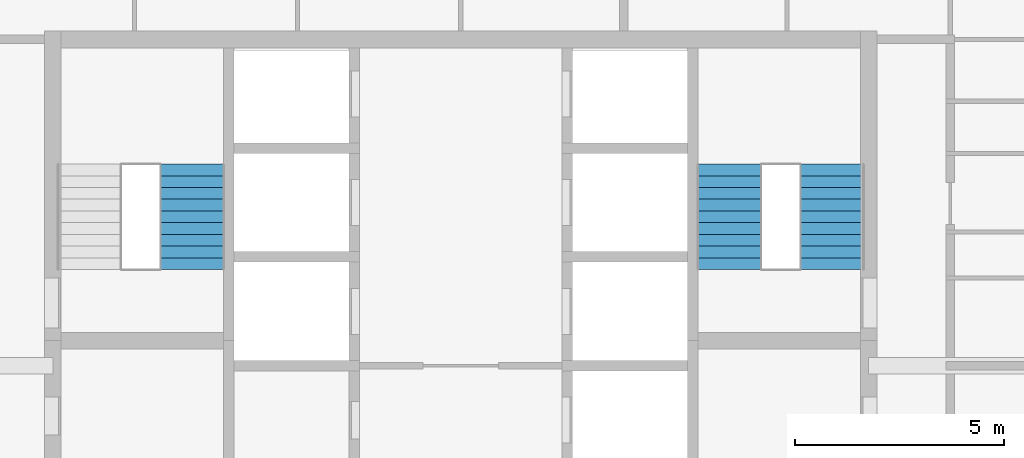
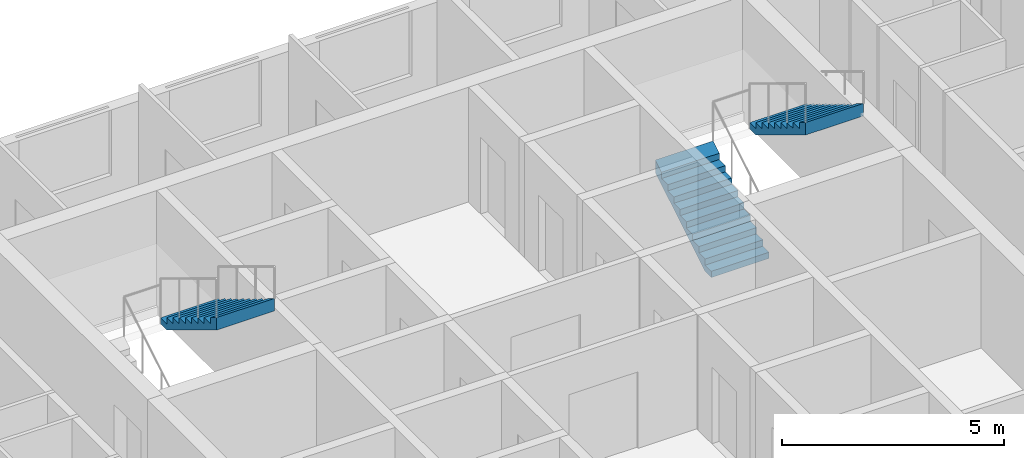
# One storey, part 14 of 17: 3 stair flights, 2 elements without a shape of their own.
"""IFC4 building model written with IfcOpenShell, lengths in metres."""

from ifc_helpers import new_model, si_unit, direction, frame, origin, place, context, subcontext, project, spatial, triangles, material, type_object, element, aggregate, save


model = new_model("IFC4")

# Units and contexts
model_context = context("Model", 3, precision=1e-05, world=origin(), true_north=direction((0.0, 1.0)))
body_context = subcontext(model_context, "Body", "Model", "MODEL_VIEW")
ifc_project = project(units=[si_unit("LENGTHUNIT", "METRE"), si_unit("AREAUNIT", "SQUARE_METRE"), si_unit("VOLUMEUNIT", "CUBIC_METRE"), si_unit("PLANEANGLEUNIT", "RADIAN"), si_unit("MASSUNIT", "GRAM", prefix="KILO")], contexts=[model_context])

# Site, building, storey
site_placement = place(None, origin())
site = spatial("IfcSite", under=ifc_project, at=site_placement, CompositionType="ELEMENT")
building_placement = place(site_placement, origin())
building = spatial("IfcBuilding", under=site, at=building_placement, Name="Ludao Terraces", CompositionType="ELEMENT")
storey_placement = place(building_placement, frame((0.0, 0.0, 221.10009765625)))
storey = spatial("IfcBuildingStorey", under=building, at=storey_placement, Name="L60", CompositionType="ELEMENT", Elevation=221.10009765625)

# Stair, stair flight
ifc_material = material(Name="Concrete C40", Category="concrete")
stair_type = type_object("IfcStairType", Name="INT Stair", PredefinedType="HALF_TURN_STAIR", material=ifc_material)
stair_1_placement = place(storey_placement, origin())
stair_1 = element("IfcStair", 1, at=stair_1_placement, inside=storey, type_object=stair_type, Name="EXIT STAIR 1", PredefinedType="HALF_TURN_STAIR")
stair_flight_type = type_object("IfcStairFlightType", Name="INT Stair flight", PredefinedType="STRAIGHT", material=ifc_material)
stair_flight_1_placement = place(storey_placement, frame((78.574951171875, 81.52001953125, 1.699951171875), z_axis=(0.0, 0.0, 1.0), x_axis=(0.0, -1.0, 0.0)))
stair_flight_1 = element("IfcStairFlight", 2, at=stair_flight_1_placement, type_object=stair_flight_type, Name="ST1 flight 2", NumberOfRisers=10, NumberOfTreads=9, PredefinedType="STRAIGHT", RiserHeight=0.17, TreadLength=0.28, context=body_context, shape_type="Tessellation", body=[
    triangles([(0.0, -0.75, 0.0), (0.0, -0.5, 0.0), (0.0, -0.25, 0.0), (0.0, 0.0, 0.0), (0.0, 0.25, 0.0), (0.0, 0.5, 0.0), (0.0, 0.75, 0.0), (0.0, -0.75, 0.169921875), (0.0, -0.5, 0.169921875), (0.0, -0.25, 0.169921875), (0.0, 0.0, 0.169921875), (0.0, 0.25, 0.169921875), (0.0, 0.5, 0.169921875), (0.0, 0.75, 0.169921875), (0.280029296875, -0.75, 0.169921875), (0.280029296875, -0.5, 0.169921875), (0.280029296875, -0.25, 0.169921875), (0.280029296875, 0.0, 0.169921875), (0.280029296875, 0.25, 0.169921875), (0.280029296875, 0.5, 0.169921875), (0.280029296875, 0.75, 0.169921875), (0.280029296875, -0.75, 0.340087890625), (0.280029296875, -0.5, 0.340087890625), (0.280029296875, -0.25, 0.340087890625), (0.280029296875, 0.0, 0.340087890625), (0.280029296875, 0.25, 0.340087890625), (0.280029296875, 0.5, 0.340087890625), (0.280029296875, 0.75, 0.340087890625), (0.56005859375, -0.75, 0.340087890625), (0.56005859375, -0.5, 0.340087890625), (0.56005859375, -0.25, 0.340087890625), (0.56005859375, 0.0, 0.340087890625), (0.56005859375, 0.25, 0.340087890625), (0.56005859375, 0.5, 0.340087890625), (0.56005859375, 0.75, 0.340087890625), (0.56005859375, -0.75, 0.510009765625), (0.56005859375, -0.5, 0.510009765625), (0.56005859375, -0.25, 0.510009765625), (0.56005859375, 0.0, 0.510009765625), (0.56005859375, 0.25, 0.510009765625), (0.56005859375, 0.5, 0.510009765625), (0.56005859375, 0.75, 0.510009765625), (0.840087890625, -0.75, 0.510009765625), (0.840087890625, -0.5, 0.510009765625), (0.840087890625, -0.25, 0.510009765625), (0.840087890625, 0.0, 0.510009765625), (0.840087890625, 0.25, 0.510009765625), (0.840087890625, 0.5, 0.510009765625), (0.840087890625, 0.75, 0.510009765625), (0.840087890625, -0.75, 0.679931640625), (0.840087890625, -0.5, 0.679931640625), (0.840087890625, -0.25, 0.679931640625), (0.840087890625, 0.0, 0.679931640625), (0.840087890625, 0.25, 0.679931640625), (0.840087890625, 0.5, 0.679931640625), (0.840087890625, 0.75, 0.679931640625), (1.1201171875, -0.75, 0.679931640625), (1.1201171875, -0.5, 0.679931640625), (1.1201171875, -0.25, 0.679931640625), (1.1201171875, 0.0, 0.679931640625), (1.1201171875, 0.25, 0.679931640625), (1.1201171875, 0.5, 0.679931640625), (1.1201171875, 0.75, 0.679931640625), (1.1201171875, -0.75, 0.85009765625), (1.1201171875, -0.5, 0.85009765625), (1.1201171875, -0.25, 0.85009765625), (1.1201171875, 0.0, 0.85009765625), (1.1201171875, 0.25, 0.85009765625), (1.1201171875, 0.5, 0.85009765625), (1.1201171875, 0.75, 0.85009765625), (1.39990234375, -0.75, 0.85009765625), (1.39990234375, -0.5, 0.85009765625), (1.39990234375, -0.25, 0.85009765625), (1.39990234375, 0.0, 0.85009765625), (1.39990234375, 0.25, 0.85009765625), (1.39990234375, 0.5, 0.85009765625), (1.39990234375, 0.75, 0.85009765625), (1.39990234375, -0.75, 1.02001953125), (1.39990234375, -0.5, 1.02001953125), (1.39990234375, -0.25, 1.02001953125), (1.39990234375, 0.0, 1.02001953125), (1.39990234375, 0.25, 1.02001953125), (1.39990234375, 0.5, 1.02001953125), (1.39990234375, 0.75, 1.02001953125), (1.679931640625, -0.75, 1.02001953125), (1.679931640625, -0.5, 1.02001953125), (1.679931640625, -0.25, 1.02001953125), (1.679931640625, 0.0, 1.02001953125), (1.679931640625, 0.25, 1.02001953125), (1.679931640625, 0.5, 1.02001953125), (1.679931640625, 0.75, 1.02001953125), (1.679931640625, -0.75, 1.18994140625), (1.679931640625, -0.5, 1.18994140625), (1.679931640625, -0.25, 1.18994140625), (1.679931640625, 0.0, 1.18994140625), (1.679931640625, 0.25, 1.18994140625), (1.679931640625, 0.5, 1.18994140625), (1.679931640625, 0.75, 1.18994140625), (1.9599609375, -0.75, 1.18994140625), (1.9599609375, -0.5, 1.18994140625), (1.9599609375, -0.25, 1.18994140625), (1.9599609375, 0.0, 1.18994140625), (1.9599609375, 0.25, 1.18994140625), (1.9599609375, 0.5, 1.18994140625), (1.9599609375, 0.75, 1.18994140625), (1.9599609375, -0.75, 1.360107421875), (1.9599609375, -0.5, 1.360107421875), (1.9599609375, -0.25, 1.360107421875), (1.9599609375, 0.0, 1.360107421875), (1.9599609375, 0.25, 1.360107421875), (1.9599609375, 0.5, 1.360107421875), (1.9599609375, 0.75, 1.360107421875), (2.239990234375, -0.75, 1.360107421875), (2.239990234375, -0.5, 1.360107421875), (2.239990234375, -0.25, 1.360107421875), (2.239990234375, 0.0, 1.360107421875), (2.239990234375, 0.25, 1.360107421875), (2.239990234375, 0.5, 1.360107421875), (2.239990234375, 0.75, 1.360107421875), (2.239990234375, -0.75, 1.530029296875), (2.239990234375, -0.5, 1.530029296875), (2.239990234375, -0.25, 1.530029296875), (2.239990234375, 0.0, 1.530029296875), (2.239990234375, 0.25, 1.530029296875), (2.239990234375, 0.5, 1.530029296875), (2.239990234375, 0.75, 1.530029296875), (2.52001953125, -0.75, 1.699951171875), (2.52001953125, -0.5, 1.699951171875), (2.52001953125, -0.25, 1.699951171875), (2.52001953125, 0.0, 1.699951171875), (2.52001953125, 0.25, 1.699951171875), (2.52001953125, 0.5, 1.699951171875), (2.52001953125, 0.75, 1.699951171875), (2.52001953125, -0.75, 1.354736328125), (2.52001953125, -0.5, 1.354736328125), (2.52001953125, -0.25, 1.354736328125), (2.52001953125, 0.0, 1.354736328125), (2.52001953125, 0.25, 1.354736328125), (2.52001953125, 0.5, 1.354736328125), (2.52001953125, 0.75, 1.354736328125), (0.288818359375, -0.75, 0.0), (0.288818359375, -0.5, 0.0), (0.288818359375, -0.25, 0.0), (0.288818359375, 0.0, 0.0), (0.288818359375, 0.25, 0.0), (0.288818359375, 0.5, 0.0), (0.288818359375, 0.75, 0.0)], [[1, 141, 134], [7, 140, 147], [134, 127, 120], [140, 126, 133], [134, 120, 113], [140, 119, 126], [134, 113, 106], [140, 112, 119], [134, 106, 99], [140, 105, 112], [99, 92, 85], [105, 91, 98], [134, 99, 85], [140, 91, 105], [85, 78, 71], [91, 77, 84], [134, 85, 71], [140, 77, 91], [71, 64, 57], [77, 63, 70], [134, 71, 57], [140, 63, 77], [57, 50, 43], [63, 49, 56], [134, 57, 43], [140, 49, 63], [43, 36, 29], [49, 35, 42], [134, 43, 29], [140, 35, 49], [29, 22, 15], [35, 21, 28], [134, 29, 15], [140, 21, 35], [1, 134, 15], [7, 21, 140], [15, 8, 1], [21, 7, 14], [1, 9, 2], [1, 8, 9], [2, 10, 3], [2, 9, 10], [3, 11, 4], [3, 10, 11], [4, 12, 5], [4, 11, 12], [5, 13, 6], [5, 12, 13], [6, 14, 7], [6, 13, 14], [8, 16, 9], [8, 15, 16], [9, 17, 10], [9, 16, 17], [10, 18, 11], [10, 17, 18], [11, 19, 12], [11, 18, 19], [12, 20, 13], [12, 19, 20], [13, 21, 14], [13, 20, 21], [15, 23, 16], [15, 22, 23], [16, 24, 17], [16, 23, 24], [17, 25, 18], [17, 24, 25], [18, 26, 19], [18, 25, 26], [19, 27, 20], [19, 26, 27], [20, 28, 21], [20, 27, 28], [22, 30, 23], [22, 29, 30], [23, 31, 24], [23, 30, 31], [24, 32, 25], [24, 31, 32], [25, 33, 26], [25, 32, 33], [26, 34, 27], [26, 33, 34], [27, 35, 28], [27, 34, 35], [29, 37, 30], [29, 36, 37], [30, 38, 31], [30, 37, 38], [31, 39, 32], [31, 38, 39], [32, 40, 33], [32, 39, 40], [33, 41, 34], [33, 40, 41], [34, 42, 35], [34, 41, 42], [36, 44, 37], [36, 43, 44], [37, 45, 38], [37, 44, 45], [38, 46, 39], [38, 45, 46], [39, 47, 40], [39, 46, 47], [40, 48, 41], [40, 47, 48], [41, 49, 42], [41, 48, 49], [43, 51, 44], [43, 50, 51], [44, 52, 45], [44, 51, 52], [45, 53, 46], [45, 52, 53], [46, 54, 47], [46, 53, 54], [47, 55, 48], [47, 54, 55], [48, 56, 49], [48, 55, 56], [50, 58, 51], [50, 57, 58], [51, 59, 52], [51, 58, 59], [52, 60, 53], [52, 59, 60], [53, 61, 54], [53, 60, 61], [54, 62, 55], [54, 61, 62], [55, 63, 56], [55, 62, 63], [57, 65, 58], [57, 64, 65], [58, 66, 59], [58, 65, 66], [59, 67, 60], [59, 66, 67], [60, 68, 61], [60, 67, 68], [61, 69, 62], [61, 68, 69], [62, 70, 63], [62, 69, 70], [64, 72, 65], [64, 71, 72], [65, 73, 66], [65, 72, 73], [66, 74, 67], [66, 73, 74], [67, 75, 68], [67, 74, 75], [68, 76, 69], [68, 75, 76], [69, 77, 70], [69, 76, 77], [71, 79, 72], [71, 78, 79], [72, 80, 73], [72, 79, 80], [73, 81, 74], [73, 80, 81], [74, 82, 75], [74, 81, 82], [75, 83, 76], [75, 82, 83], [76, 84, 77], [76, 83, 84], [78, 86, 79], [78, 85, 86], [79, 87, 80], [79, 86, 87], [80, 88, 81], [80, 87, 88], [81, 89, 82], [81, 88, 89], [82, 90, 83], [82, 89, 90], [83, 91, 84], [83, 90, 91], [85, 93, 86], [85, 92, 93], [86, 94, 87], [86, 93, 94], [87, 95, 88], [87, 94, 95], [88, 96, 89], [88, 95, 96], [89, 97, 90], [89, 96, 97], [90, 98, 91], [90, 97, 98], [92, 100, 93], [92, 99, 100], [93, 101, 94], [93, 100, 101], [94, 102, 95], [94, 101, 102], [95, 103, 96], [95, 102, 103], [96, 104, 97], [96, 103, 104], [97, 105, 98], [97, 104, 105], [99, 107, 100], [99, 106, 107], [100, 108, 101], [100, 107, 108], [101, 109, 102], [101, 108, 109], [102, 110, 103], [102, 109, 110], [103, 111, 104], [103, 110, 111], [104, 112, 105], [104, 111, 112], [106, 114, 107], [106, 113, 114], [107, 115, 108], [107, 114, 115], [108, 116, 109], [108, 115, 116], [109, 117, 110], [109, 116, 117], [110, 118, 111], [110, 117, 118], [111, 119, 112], [111, 118, 119], [113, 121, 114], [113, 120, 121], [114, 122, 115], [114, 121, 122], [115, 123, 116], [115, 122, 123], [116, 124, 117], [116, 123, 124], [117, 125, 118], [117, 124, 125], [118, 126, 119], [118, 125, 126], [120, 128, 121], [120, 127, 128], [121, 129, 122], [121, 128, 129], [122, 130, 123], [122, 129, 130], [123, 131, 124], [123, 130, 131], [124, 132, 125], [124, 131, 132], [125, 133, 126], [125, 132, 133], [127, 135, 128], [127, 134, 135], [128, 136, 129], [128, 135, 136], [129, 137, 130], [129, 136, 137], [130, 138, 131], [130, 137, 138], [131, 139, 132], [131, 138, 139], [132, 140, 133], [132, 139, 140], [134, 142, 135], [134, 141, 142], [135, 143, 136], [135, 142, 143], [136, 144, 137], [136, 143, 144], [137, 145, 138], [137, 144, 145], [138, 146, 139], [138, 145, 146], [139, 147, 140], [139, 146, 147], [141, 2, 142], [141, 1, 2], [142, 3, 143], [142, 2, 3], [143, 4, 144], [143, 3, 4], [144, 5, 145], [144, 4, 5], [145, 6, 146], [145, 5, 6], [146, 7, 147], [146, 6, 7]], closed=True),
])
aggregate(stair_1, [stair_flight_1])

# Stair, stair flights
stair_2_placement = place(storey_placement, origin())
stair_2 = element("IfcStair", 3, at=stair_2_placement, inside=storey, type_object=stair_type, Name="EXIT STAIR 2", PredefinedType="HALF_TURN_STAIR")
stair_flight_2_placement = place(storey_placement, frame((91.425048828125, 79.0, 0.0), z_axis=(0.0, 0.0, 1.0), x_axis=(0.0, 1.0, 0.0)))
stair_flight_2 = element("IfcStairFlight", 4, at=stair_flight_2_placement, type_object=stair_flight_type, Name="ST2 flight 1", NumberOfRisers=10, NumberOfTreads=9, PredefinedType="STRAIGHT", RiserHeight=0.17, TreadLength=0.28, context=body_context, shape_type="Tessellation", body=[
    triangles([(0.0, -0.75, 0.0), (0.0, -0.5, 0.0), (0.0, -0.25, 0.0), (0.0, 0.0, 0.0), (0.0, 0.25, 0.0), (0.0, 0.5, 0.0), (0.0, 0.75, 0.0), (0.0, -0.75, 0.169921875), (0.0, -0.5, 0.169921875), (0.0, -0.25, 0.169921875), (0.0, 0.0, 0.169921875), (0.0, 0.25, 0.169921875), (0.0, 0.5, 0.169921875), (0.0, 0.75, 0.169921875), (0.280029296875, -0.75, 0.169921875), (0.280029296875, -0.5, 0.169921875), (0.280029296875, -0.25, 0.169921875), (0.280029296875, 0.0, 0.169921875), (0.280029296875, 0.25, 0.169921875), (0.280029296875, 0.5, 0.169921875), (0.280029296875, 0.75, 0.169921875), (0.280029296875, -0.75, 0.340087890625), (0.280029296875, -0.5, 0.340087890625), (0.280029296875, -0.25, 0.340087890625), (0.280029296875, 0.0, 0.340087890625), (0.280029296875, 0.25, 0.340087890625), (0.280029296875, 0.5, 0.340087890625), (0.280029296875, 0.75, 0.340087890625), (0.56005859375, -0.75, 0.340087890625), (0.56005859375, -0.5, 0.340087890625), (0.56005859375, -0.25, 0.340087890625), (0.56005859375, 0.0, 0.340087890625), (0.56005859375, 0.25, 0.340087890625), (0.56005859375, 0.5, 0.340087890625), (0.56005859375, 0.75, 0.340087890625), (0.56005859375, -0.75, 0.510009765625), (0.56005859375, -0.5, 0.510009765625), (0.56005859375, -0.25, 0.510009765625), (0.56005859375, 0.0, 0.510009765625), (0.56005859375, 0.25, 0.510009765625), (0.56005859375, 0.5, 0.510009765625), (0.56005859375, 0.75, 0.510009765625), (0.840087890625, -0.75, 0.510009765625), (0.840087890625, -0.5, 0.510009765625), (0.840087890625, -0.25, 0.510009765625), (0.840087890625, 0.0, 0.510009765625), (0.840087890625, 0.25, 0.510009765625), (0.840087890625, 0.5, 0.510009765625), (0.840087890625, 0.75, 0.510009765625), (0.840087890625, -0.75, 0.679931640625), (0.840087890625, -0.5, 0.679931640625), (0.840087890625, -0.25, 0.679931640625), (0.840087890625, 0.0, 0.679931640625), (0.840087890625, 0.25, 0.679931640625), (0.840087890625, 0.5, 0.679931640625), (0.840087890625, 0.75, 0.679931640625), (1.1201171875, -0.75, 0.679931640625), (1.1201171875, -0.5, 0.679931640625), (1.1201171875, -0.25, 0.679931640625), (1.1201171875, 0.0, 0.679931640625), (1.1201171875, 0.25, 0.679931640625), (1.1201171875, 0.5, 0.679931640625), (1.1201171875, 0.75, 0.679931640625), (1.1201171875, -0.75, 0.85009765625), (1.1201171875, -0.5, 0.85009765625), (1.1201171875, -0.25, 0.85009765625), (1.1201171875, 0.0, 0.85009765625), (1.1201171875, 0.25, 0.85009765625), (1.1201171875, 0.5, 0.85009765625), (1.1201171875, 0.75, 0.85009765625), (1.39990234375, -0.75, 0.85009765625), (1.39990234375, -0.5, 0.85009765625), (1.39990234375, -0.25, 0.85009765625), (1.39990234375, 0.0, 0.85009765625), (1.39990234375, 0.25, 0.85009765625), (1.39990234375, 0.5, 0.85009765625), (1.39990234375, 0.75, 0.85009765625), (1.39990234375, -0.75, 1.02001953125), (1.39990234375, -0.5, 1.02001953125), (1.39990234375, -0.25, 1.02001953125), (1.39990234375, 0.0, 1.02001953125), (1.39990234375, 0.25, 1.02001953125), (1.39990234375, 0.5, 1.02001953125), (1.39990234375, 0.75, 1.02001953125), (1.679931640625, -0.75, 1.02001953125), (1.679931640625, -0.5, 1.02001953125), (1.679931640625, -0.25, 1.02001953125), (1.679931640625, 0.0, 1.02001953125), (1.679931640625, 0.25, 1.02001953125), (1.679931640625, 0.5, 1.02001953125), (1.679931640625, 0.75, 1.02001953125), (1.679931640625, -0.75, 1.18994140625), (1.679931640625, -0.5, 1.18994140625), (1.679931640625, -0.25, 1.18994140625), (1.679931640625, 0.0, 1.18994140625), (1.679931640625, 0.25, 1.18994140625), (1.679931640625, 0.5, 1.18994140625), (1.679931640625, 0.75, 1.18994140625), (1.9599609375, -0.75, 1.18994140625), (1.9599609375, -0.5, 1.18994140625), (1.9599609375, -0.25, 1.18994140625), (1.9599609375, 0.0, 1.18994140625), (1.9599609375, 0.25, 1.18994140625), (1.9599609375, 0.5, 1.18994140625), (1.9599609375, 0.75, 1.18994140625), (1.9599609375, -0.75, 1.360107421875), (1.9599609375, -0.5, 1.360107421875), (1.9599609375, -0.25, 1.360107421875), (1.9599609375, 0.0, 1.360107421875), (1.9599609375, 0.25, 1.360107421875), (1.9599609375, 0.5, 1.360107421875), (1.9599609375, 0.75, 1.360107421875), (2.239990234375, -0.75, 1.360107421875), (2.239990234375, -0.5, 1.360107421875), (2.239990234375, -0.25, 1.360107421875), (2.239990234375, 0.0, 1.360107421875), (2.239990234375, 0.25, 1.360107421875), (2.239990234375, 0.5, 1.360107421875), (2.239990234375, 0.75, 1.360107421875), (2.239990234375, -0.75, 1.530029296875), (2.239990234375, -0.5, 1.530029296875), (2.239990234375, -0.25, 1.530029296875), (2.239990234375, 0.0, 1.530029296875), (2.239990234375, 0.25, 1.530029296875), (2.239990234375, 0.5, 1.530029296875), (2.239990234375, 0.75, 1.530029296875), (2.52001953125, -0.75, 1.699951171875), (2.52001953125, -0.5, 1.699951171875), (2.52001953125, -0.25, 1.699951171875), (2.52001953125, 0.0, 1.699951171875), (2.52001953125, 0.25, 1.699951171875), (2.52001953125, 0.5, 1.699951171875), (2.52001953125, 0.75, 1.699951171875), (2.52001953125, -0.75, 1.354736328125), (2.52001953125, -0.5, 1.354736328125), (2.52001953125, -0.25, 1.354736328125), (2.52001953125, 0.0, 1.354736328125), (2.52001953125, 0.25, 1.354736328125), (2.52001953125, 0.5, 1.354736328125), (2.52001953125, 0.75, 1.354736328125), (0.288818359375, -0.75, 0.0), (0.288818359375, -0.5, 0.0), (0.288818359375, -0.25, 0.0), (0.288818359375, 0.0, 0.0), (0.288818359375, 0.25, 0.0), (0.288818359375, 0.5, 0.0), (0.288818359375, 0.75, 0.0)], [[1, 141, 134], [7, 140, 147], [134, 127, 120], [140, 126, 133], [134, 120, 113], [140, 119, 126], [134, 113, 106], [140, 112, 119], [134, 106, 99], [140, 105, 112], [99, 92, 85], [105, 91, 98], [134, 99, 85], [140, 91, 105], [85, 78, 71], [91, 77, 84], [134, 85, 71], [140, 77, 91], [71, 64, 57], [77, 63, 70], [134, 71, 57], [140, 63, 77], [57, 50, 43], [63, 49, 56], [134, 57, 43], [140, 49, 63], [43, 36, 29], [49, 35, 42], [134, 43, 29], [140, 35, 49], [29, 22, 15], [35, 21, 28], [134, 29, 15], [140, 21, 35], [1, 134, 15], [7, 21, 140], [15, 8, 1], [21, 7, 14], [1, 9, 2], [1, 8, 9], [2, 10, 3], [2, 9, 10], [3, 11, 4], [3, 10, 11], [4, 12, 5], [4, 11, 12], [5, 13, 6], [5, 12, 13], [6, 14, 7], [6, 13, 14], [8, 16, 9], [8, 15, 16], [9, 17, 10], [9, 16, 17], [10, 18, 11], [10, 17, 18], [11, 19, 12], [11, 18, 19], [12, 20, 13], [12, 19, 20], [13, 21, 14], [13, 20, 21], [15, 23, 16], [15, 22, 23], [16, 24, 17], [16, 23, 24], [17, 25, 18], [17, 24, 25], [18, 26, 19], [18, 25, 26], [19, 27, 20], [19, 26, 27], [20, 28, 21], [20, 27, 28], [22, 30, 23], [22, 29, 30], [23, 31, 24], [23, 30, 31], [24, 32, 25], [24, 31, 32], [25, 33, 26], [25, 32, 33], [26, 34, 27], [26, 33, 34], [27, 35, 28], [27, 34, 35], [29, 37, 30], [29, 36, 37], [30, 38, 31], [30, 37, 38], [31, 39, 32], [31, 38, 39], [32, 40, 33], [32, 39, 40], [33, 41, 34], [33, 40, 41], [34, 42, 35], [34, 41, 42], [36, 44, 37], [36, 43, 44], [37, 45, 38], [37, 44, 45], [38, 46, 39], [38, 45, 46], [39, 47, 40], [39, 46, 47], [40, 48, 41], [40, 47, 48], [41, 49, 42], [41, 48, 49], [43, 51, 44], [43, 50, 51], [44, 52, 45], [44, 51, 52], [45, 53, 46], [45, 52, 53], [46, 54, 47], [46, 53, 54], [47, 55, 48], [47, 54, 55], [48, 56, 49], [48, 55, 56], [50, 58, 51], [50, 57, 58], [51, 59, 52], [51, 58, 59], [52, 60, 53], [52, 59, 60], [53, 61, 54], [53, 60, 61], [54, 62, 55], [54, 61, 62], [55, 63, 56], [55, 62, 63], [57, 65, 58], [57, 64, 65], [58, 66, 59], [58, 65, 66], [59, 67, 60], [59, 66, 67], [60, 68, 61], [60, 67, 68], [61, 69, 62], [61, 68, 69], [62, 70, 63], [62, 69, 70], [64, 72, 65], [64, 71, 72], [65, 73, 66], [65, 72, 73], [66, 74, 67], [66, 73, 74], [67, 75, 68], [67, 74, 75], [68, 76, 69], [68, 75, 76], [69, 77, 70], [69, 76, 77], [71, 79, 72], [71, 78, 79], [72, 80, 73], [72, 79, 80], [73, 81, 74], [73, 80, 81], [74, 82, 75], [74, 81, 82], [75, 83, 76], [75, 82, 83], [76, 84, 77], [76, 83, 84], [78, 86, 79], [78, 85, 86], [79, 87, 80], [79, 86, 87], [80, 88, 81], [80, 87, 88], [81, 89, 82], [81, 88, 89], [82, 90, 83], [82, 89, 90], [83, 91, 84], [83, 90, 91], [85, 93, 86], [85, 92, 93], [86, 94, 87], [86, 93, 94], [87, 95, 88], [87, 94, 95], [88, 96, 89], [88, 95, 96], [89, 97, 90], [89, 96, 97], [90, 98, 91], [90, 97, 98], [92, 100, 93], [92, 99, 100], [93, 101, 94], [93, 100, 101], [94, 102, 95], [94, 101, 102], [95, 103, 96], [95, 102, 103], [96, 104, 97], [96, 103, 104], [97, 105, 98], [97, 104, 105], [99, 107, 100], [99, 106, 107], [100, 108, 101], [100, 107, 108], [101, 109, 102], [101, 108, 109], [102, 110, 103], [102, 109, 110], [103, 111, 104], [103, 110, 111], [104, 112, 105], [104, 111, 112], [106, 114, 107], [106, 113, 114], [107, 115, 108], [107, 114, 115], [108, 116, 109], [108, 115, 116], [109, 117, 110], [109, 116, 117], [110, 118, 111], [110, 117, 118], [111, 119, 112], [111, 118, 119], [113, 121, 114], [113, 120, 121], [114, 122, 115], [114, 121, 122], [115, 123, 116], [115, 122, 123], [116, 124, 117], [116, 123, 124], [117, 125, 118], [117, 124, 125], [118, 126, 119], [118, 125, 126], [120, 128, 121], [120, 127, 128], [121, 129, 122], [121, 128, 129], [122, 130, 123], [122, 129, 130], [123, 131, 124], [123, 130, 131], [124, 132, 125], [124, 131, 132], [125, 133, 126], [125, 132, 133], [127, 135, 128], [127, 134, 135], [128, 136, 129], [128, 135, 136], [129, 137, 130], [129, 136, 137], [130, 138, 131], [130, 137, 138], [131, 139, 132], [131, 138, 139], [132, 140, 133], [132, 139, 140], [134, 142, 135], [134, 141, 142], [135, 143, 136], [135, 142, 143], [136, 144, 137], [136, 143, 144], [137, 145, 138], [137, 144, 145], [138, 146, 139], [138, 145, 146], [139, 147, 140], [139, 146, 147], [141, 2, 142], [141, 1, 2], [142, 3, 143], [142, 2, 3], [143, 4, 144], [143, 3, 4], [144, 5, 145], [144, 4, 5], [145, 6, 146], [145, 5, 6], [146, 7, 147], [146, 6, 7]], closed=True),
])
stair_flight_3_placement = place(storey_placement, frame((93.875, 81.52001953125, 1.699951171875), z_axis=(0.0, 0.0, 1.0), x_axis=(0.0, -1.0, 0.0)))
stair_flight_3 = element("IfcStairFlight", 5, at=stair_flight_3_placement, type_object=stair_flight_type, Name="ST2 flight 2", NumberOfRisers=10, NumberOfTreads=9, PredefinedType="STRAIGHT", RiserHeight=0.17, TreadLength=0.28, context=body_context, shape_type="Tessellation", body=[
    triangles([(0.0, -0.75, 0.0), (0.0, -0.5, 0.0), (0.0, -0.25, 0.0), (0.0, 0.0, 0.0), (0.0, 0.25, 0.0), (0.0, 0.5, 0.0), (0.0, 0.75, 0.0), (0.0, -0.75, 0.169921875), (0.0, -0.5, 0.169921875), (0.0, -0.25, 0.169921875), (0.0, 0.0, 0.169921875), (0.0, 0.25, 0.169921875), (0.0, 0.5, 0.169921875), (0.0, 0.75, 0.169921875), (0.280029296875, -0.75, 0.169921875), (0.280029296875, -0.5, 0.169921875), (0.280029296875, -0.25, 0.169921875), (0.280029296875, 0.0, 0.169921875), (0.280029296875, 0.25, 0.169921875), (0.280029296875, 0.5, 0.169921875), (0.280029296875, 0.75, 0.169921875), (0.280029296875, -0.75, 0.340087890625), (0.280029296875, -0.5, 0.340087890625), (0.280029296875, -0.25, 0.340087890625), (0.280029296875, 0.0, 0.340087890625), (0.280029296875, 0.25, 0.340087890625), (0.280029296875, 0.5, 0.340087890625), (0.280029296875, 0.75, 0.340087890625), (0.56005859375, -0.75, 0.340087890625), (0.56005859375, -0.5, 0.340087890625), (0.56005859375, -0.25, 0.340087890625), (0.56005859375, 0.0, 0.340087890625), (0.56005859375, 0.25, 0.340087890625), (0.56005859375, 0.5, 0.340087890625), (0.56005859375, 0.75, 0.340087890625), (0.56005859375, -0.75, 0.510009765625), (0.56005859375, -0.5, 0.510009765625), (0.56005859375, -0.25, 0.510009765625), (0.56005859375, 0.0, 0.510009765625), (0.56005859375, 0.25, 0.510009765625), (0.56005859375, 0.5, 0.510009765625), (0.56005859375, 0.75, 0.510009765625), (0.840087890625, -0.75, 0.510009765625), (0.840087890625, -0.5, 0.510009765625), (0.840087890625, -0.25, 0.510009765625), (0.840087890625, 0.0, 0.510009765625), (0.840087890625, 0.25, 0.510009765625), (0.840087890625, 0.5, 0.510009765625), (0.840087890625, 0.75, 0.510009765625), (0.840087890625, -0.75, 0.679931640625), (0.840087890625, -0.5, 0.679931640625), (0.840087890625, -0.25, 0.679931640625), (0.840087890625, 0.0, 0.679931640625), (0.840087890625, 0.25, 0.679931640625), (0.840087890625, 0.5, 0.679931640625), (0.840087890625, 0.75, 0.679931640625), (1.1201171875, -0.75, 0.679931640625), (1.1201171875, -0.5, 0.679931640625), (1.1201171875, -0.25, 0.679931640625), (1.1201171875, 0.0, 0.679931640625), (1.1201171875, 0.25, 0.679931640625), (1.1201171875, 0.5, 0.679931640625), (1.1201171875, 0.75, 0.679931640625), (1.1201171875, -0.75, 0.85009765625), (1.1201171875, -0.5, 0.85009765625), (1.1201171875, -0.25, 0.85009765625), (1.1201171875, 0.0, 0.85009765625), (1.1201171875, 0.25, 0.85009765625), (1.1201171875, 0.5, 0.85009765625), (1.1201171875, 0.75, 0.85009765625), (1.39990234375, -0.75, 0.85009765625), (1.39990234375, -0.5, 0.85009765625), (1.39990234375, -0.25, 0.85009765625), (1.39990234375, 0.0, 0.85009765625), (1.39990234375, 0.25, 0.85009765625), (1.39990234375, 0.5, 0.85009765625), (1.39990234375, 0.75, 0.85009765625), (1.39990234375, -0.75, 1.02001953125), (1.39990234375, -0.5, 1.02001953125), (1.39990234375, -0.25, 1.02001953125), (1.39990234375, 0.0, 1.02001953125), (1.39990234375, 0.25, 1.02001953125), (1.39990234375, 0.5, 1.02001953125), (1.39990234375, 0.75, 1.02001953125), (1.679931640625, -0.75, 1.02001953125), (1.679931640625, -0.5, 1.02001953125), (1.679931640625, -0.25, 1.02001953125), (1.679931640625, 0.0, 1.02001953125), (1.679931640625, 0.25, 1.02001953125), (1.679931640625, 0.5, 1.02001953125), (1.679931640625, 0.75, 1.02001953125), (1.679931640625, -0.75, 1.18994140625), (1.679931640625, -0.5, 1.18994140625), (1.679931640625, -0.25, 1.18994140625), (1.679931640625, 0.0, 1.18994140625), (1.679931640625, 0.25, 1.18994140625), (1.679931640625, 0.5, 1.18994140625), (1.679931640625, 0.75, 1.18994140625), (1.9599609375, -0.75, 1.18994140625), (1.9599609375, -0.5, 1.18994140625), (1.9599609375, -0.25, 1.18994140625), (1.9599609375, 0.0, 1.18994140625), (1.9599609375, 0.25, 1.18994140625), (1.9599609375, 0.5, 1.18994140625), (1.9599609375, 0.75, 1.18994140625), (1.9599609375, -0.75, 1.360107421875), (1.9599609375, -0.5, 1.360107421875), (1.9599609375, -0.25, 1.360107421875), (1.9599609375, 0.0, 1.360107421875), (1.9599609375, 0.25, 1.360107421875), (1.9599609375, 0.5, 1.360107421875), (1.9599609375, 0.75, 1.360107421875), (2.239990234375, -0.75, 1.360107421875), (2.239990234375, -0.5, 1.360107421875), (2.239990234375, -0.25, 1.360107421875), (2.239990234375, 0.0, 1.360107421875), (2.239990234375, 0.25, 1.360107421875), (2.239990234375, 0.5, 1.360107421875), (2.239990234375, 0.75, 1.360107421875), (2.239990234375, -0.75, 1.530029296875), (2.239990234375, -0.5, 1.530029296875), (2.239990234375, -0.25, 1.530029296875), (2.239990234375, 0.0, 1.530029296875), (2.239990234375, 0.25, 1.530029296875), (2.239990234375, 0.5, 1.530029296875), (2.239990234375, 0.75, 1.530029296875), (2.52001953125, -0.75, 1.699951171875), (2.52001953125, -0.5, 1.699951171875), (2.52001953125, -0.25, 1.699951171875), (2.52001953125, 0.0, 1.699951171875), (2.52001953125, 0.25, 1.699951171875), (2.52001953125, 0.5, 1.699951171875), (2.52001953125, 0.75, 1.699951171875), (2.52001953125, -0.75, 1.354736328125), (2.52001953125, -0.5, 1.354736328125), (2.52001953125, -0.25, 1.354736328125), (2.52001953125, 0.0, 1.354736328125), (2.52001953125, 0.25, 1.354736328125), (2.52001953125, 0.5, 1.354736328125), (2.52001953125, 0.75, 1.354736328125), (0.288818359375, -0.75, 0.0), (0.288818359375, -0.5, 0.0), (0.288818359375, -0.25, 0.0), (0.288818359375, 0.0, 0.0), (0.288818359375, 0.25, 0.0), (0.288818359375, 0.5, 0.0), (0.288818359375, 0.75, 0.0)], [[1, 141, 134], [7, 140, 147], [134, 127, 120], [140, 126, 133], [134, 120, 113], [140, 119, 126], [134, 113, 106], [140, 112, 119], [134, 106, 99], [140, 105, 112], [99, 92, 85], [105, 91, 98], [134, 99, 85], [140, 91, 105], [85, 78, 71], [91, 77, 84], [134, 85, 71], [140, 77, 91], [71, 64, 57], [77, 63, 70], [134, 71, 57], [140, 63, 77], [57, 50, 43], [63, 49, 56], [134, 57, 43], [140, 49, 63], [43, 36, 29], [49, 35, 42], [134, 43, 29], [140, 35, 49], [29, 22, 15], [35, 21, 28], [134, 29, 15], [140, 21, 35], [1, 134, 15], [7, 21, 140], [15, 8, 1], [21, 7, 14], [1, 9, 2], [1, 8, 9], [2, 10, 3], [2, 9, 10], [3, 11, 4], [3, 10, 11], [4, 12, 5], [4, 11, 12], [5, 13, 6], [5, 12, 13], [6, 14, 7], [6, 13, 14], [8, 16, 9], [8, 15, 16], [9, 17, 10], [9, 16, 17], [10, 18, 11], [10, 17, 18], [11, 19, 12], [11, 18, 19], [12, 20, 13], [12, 19, 20], [13, 21, 14], [13, 20, 21], [15, 23, 16], [15, 22, 23], [16, 24, 17], [16, 23, 24], [17, 25, 18], [17, 24, 25], [18, 26, 19], [18, 25, 26], [19, 27, 20], [19, 26, 27], [20, 28, 21], [20, 27, 28], [22, 30, 23], [22, 29, 30], [23, 31, 24], [23, 30, 31], [24, 32, 25], [24, 31, 32], [25, 33, 26], [25, 32, 33], [26, 34, 27], [26, 33, 34], [27, 35, 28], [27, 34, 35], [29, 37, 30], [29, 36, 37], [30, 38, 31], [30, 37, 38], [31, 39, 32], [31, 38, 39], [32, 40, 33], [32, 39, 40], [33, 41, 34], [33, 40, 41], [34, 42, 35], [34, 41, 42], [36, 44, 37], [36, 43, 44], [37, 45, 38], [37, 44, 45], [38, 46, 39], [38, 45, 46], [39, 47, 40], [39, 46, 47], [40, 48, 41], [40, 47, 48], [41, 49, 42], [41, 48, 49], [43, 51, 44], [43, 50, 51], [44, 52, 45], [44, 51, 52], [45, 53, 46], [45, 52, 53], [46, 54, 47], [46, 53, 54], [47, 55, 48], [47, 54, 55], [48, 56, 49], [48, 55, 56], [50, 58, 51], [50, 57, 58], [51, 59, 52], [51, 58, 59], [52, 60, 53], [52, 59, 60], [53, 61, 54], [53, 60, 61], [54, 62, 55], [54, 61, 62], [55, 63, 56], [55, 62, 63], [57, 65, 58], [57, 64, 65], [58, 66, 59], [58, 65, 66], [59, 67, 60], [59, 66, 67], [60, 68, 61], [60, 67, 68], [61, 69, 62], [61, 68, 69], [62, 70, 63], [62, 69, 70], [64, 72, 65], [64, 71, 72], [65, 73, 66], [65, 72, 73], [66, 74, 67], [66, 73, 74], [67, 75, 68], [67, 74, 75], [68, 76, 69], [68, 75, 76], [69, 77, 70], [69, 76, 77], [71, 79, 72], [71, 78, 79], [72, 80, 73], [72, 79, 80], [73, 81, 74], [73, 80, 81], [74, 82, 75], [74, 81, 82], [75, 83, 76], [75, 82, 83], [76, 84, 77], [76, 83, 84], [78, 86, 79], [78, 85, 86], [79, 87, 80], [79, 86, 87], [80, 88, 81], [80, 87, 88], [81, 89, 82], [81, 88, 89], [82, 90, 83], [82, 89, 90], [83, 91, 84], [83, 90, 91], [85, 93, 86], [85, 92, 93], [86, 94, 87], [86, 93, 94], [87, 95, 88], [87, 94, 95], [88, 96, 89], [88, 95, 96], [89, 97, 90], [89, 96, 97], [90, 98, 91], [90, 97, 98], [92, 100, 93], [92, 99, 100], [93, 101, 94], [93, 100, 101], [94, 102, 95], [94, 101, 102], [95, 103, 96], [95, 102, 103], [96, 104, 97], [96, 103, 104], [97, 105, 98], [97, 104, 105], [99, 107, 100], [99, 106, 107], [100, 108, 101], [100, 107, 108], [101, 109, 102], [101, 108, 109], [102, 110, 103], [102, 109, 110], [103, 111, 104], [103, 110, 111], [104, 112, 105], [104, 111, 112], [106, 114, 107], [106, 113, 114], [107, 115, 108], [107, 114, 115], [108, 116, 109], [108, 115, 116], [109, 117, 110], [109, 116, 117], [110, 118, 111], [110, 117, 118], [111, 119, 112], [111, 118, 119], [113, 121, 114], [113, 120, 121], [114, 122, 115], [114, 121, 122], [115, 123, 116], [115, 122, 123], [116, 124, 117], [116, 123, 124], [117, 125, 118], [117, 124, 125], [118, 126, 119], [118, 125, 126], [120, 128, 121], [120, 127, 128], [121, 129, 122], [121, 128, 129], [122, 130, 123], [122, 129, 130], [123, 131, 124], [123, 130, 131], [124, 132, 125], [124, 131, 132], [125, 133, 126], [125, 132, 133], [127, 135, 128], [127, 134, 135], [128, 136, 129], [128, 135, 136], [129, 137, 130], [129, 136, 137], [130, 138, 131], [130, 137, 138], [131, 139, 132], [131, 138, 139], [132, 140, 133], [132, 139, 140], [134, 142, 135], [134, 141, 142], [135, 143, 136], [135, 142, 143], [136, 144, 137], [136, 143, 144], [137, 145, 138], [137, 144, 145], [138, 146, 139], [138, 145, 146], [139, 147, 140], [139, 146, 147], [141, 2, 142], [141, 1, 2], [142, 3, 143], [142, 2, 3], [143, 4, 144], [143, 3, 4], [144, 5, 145], [144, 4, 5], [145, 6, 146], [145, 5, 6], [146, 7, 147], [146, 6, 7]], closed=True),
])
aggregate(stair_2, [stair_flight_2, stair_flight_3])

save(model, "model.ifc")
